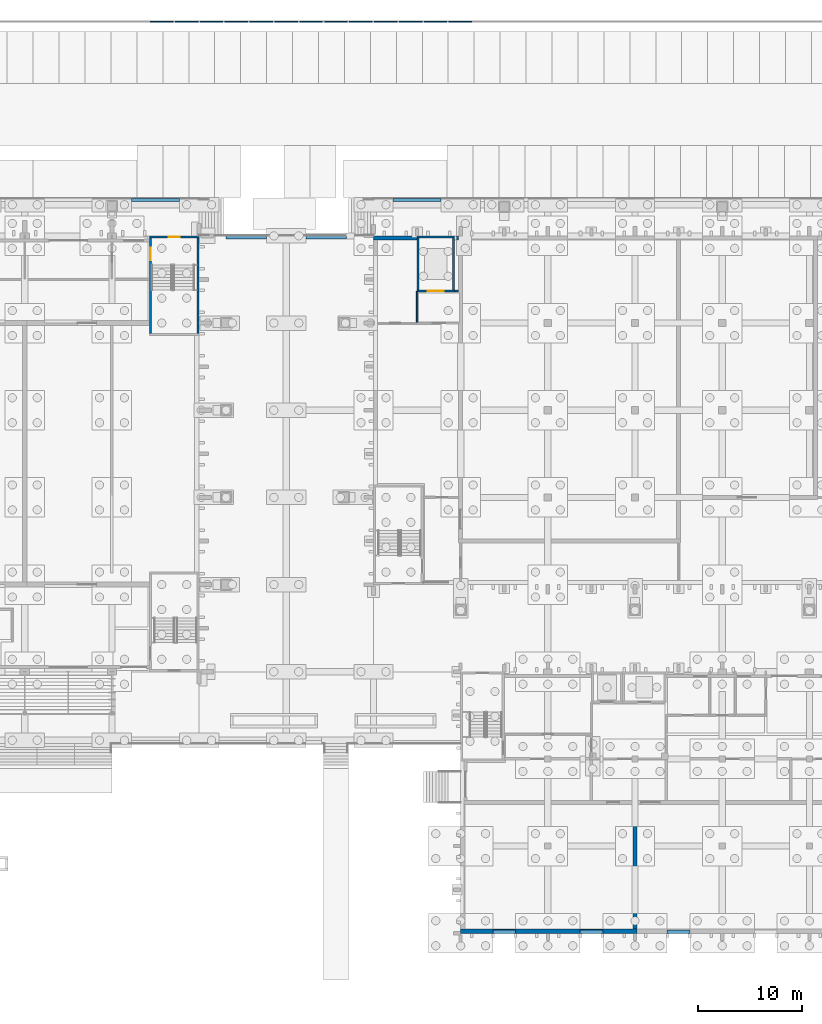
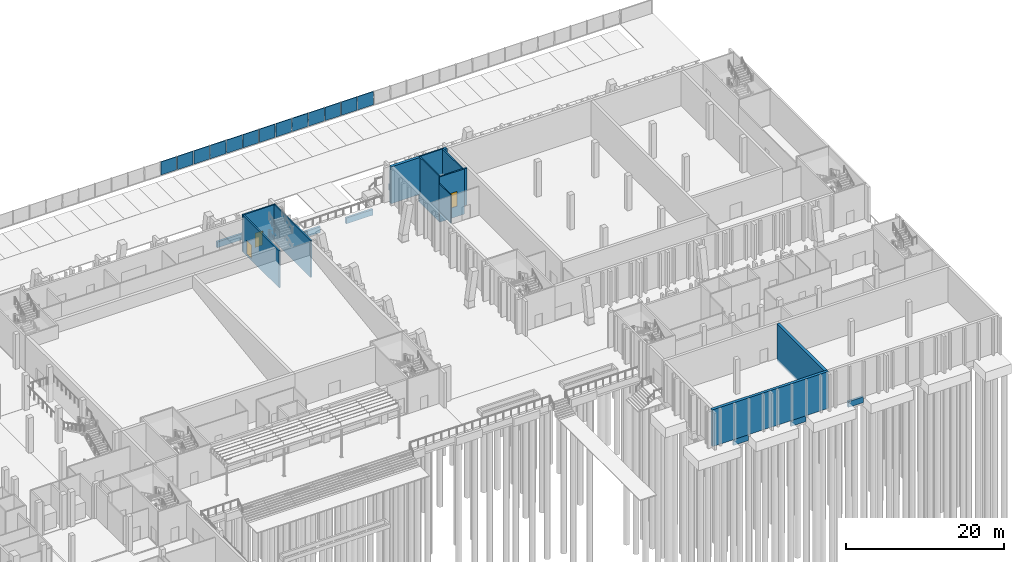
# One storey, part 54 of 129: 33 walls, 3 doors, 3 openings.
"""IFC4 building model written with IfcOpenShell, lengths in metres."""

from ifc_helpers import new_model, si_unit, direction, frame, frame_2d, origin, place, context, subcontext, project, spatial, rectangle, extrude, material, layer, layer_set, type_object, element, fill, save


model = new_model("IFC4")

# Units and contexts
model_context = context("Model", 3, precision=1e-05, world=origin(), true_north=direction((0.0, 1.0)))
body_context = subcontext(model_context, "Body", "Model", "MODEL_VIEW")
ifc_project = project(units=[si_unit("LENGTHUNIT", "METRE"), si_unit("AREAUNIT", "SQUARE_METRE"), si_unit("VOLUMEUNIT", "CUBIC_METRE"), si_unit("PLANEANGLEUNIT", "RADIAN"), si_unit("MASSUNIT", "GRAM", prefix="KILO")], contexts=[model_context])

# Site, building, storey
site_placement = place(None, origin())
site = spatial("IfcSite", under=ifc_project, at=site_placement, CompositionType="ELEMENT")
building_placement = place(site_placement, origin())
building = spatial("IfcBuilding", under=site, at=building_placement, Name="Kiln Court Media Centre", CompositionType="ELEMENT")
storey_placement = place(building_placement, origin())
storey = spatial("IfcBuildingStorey", under=building, at=storey_placement, Name="L00", CompositionType="ELEMENT", Elevation=0.0)

# Walls
ifc_material_1 = material(Name="Concrete block masonry M7.5", Category="masonry")
ifc_layer_1 = layer(ifc_material_1, 0.14990234375)
ifc_layer_set_1 = layer_set([ifc_layer_1], Name="Block lobby wall 150 EI 120")
wall_type_1 = type_object("IfcWallType", Name="Block lobby wall 150 EI 120", PredefinedType="SOLIDWALL", material=ifc_layer_set_1)
wall_1_placement = place(storey_placement, frame((121.800048828125, 58.875, 0.0), z_axis=(0.0, 0.0, 1.0), x_axis=(0.0, 1.0, 0.0)))
element("IfcWall", 1, at=wall_1_placement, inside=storey, type_object=wall_type_1, Name="L00 block lobby wall", PredefinedType="SOLIDWALL", context=body_context, shape_type="SweptSolid", body=[
    extrude(rectangle(XDim=3.0, YDim=0.14990234375, at=frame_2d((1.5, 0.0))), origin(), (0.0, 0.0, 1.0), 4.39990234375),
])
ifc_material_2 = material(Name="Concrete C30/37", Category="concrete")
ifc_layer_2 = layer(ifc_material_2, 0.300048828125)
ifc_layer_set_2 = layer_set([ifc_layer_2], Name="Concrete C30/37 plinth wall 300")
wall_type_2 = type_object("IfcWallType", Name="Concrete C30/37 plinth wall 300", PredefinedType="SOLIDWALL", material=ifc_layer_set_2)
for number, where, z_axis, x_axis, name in (
    (2, (131.300048828125, 0.14990234375, -1.199951171875), (0.0, 0.0, 1.0), (-1.0, 0.0, 0.0), "L00-W-1182"),
    (3, (139.699951171875, 0.14990234375, -1.199951171875), (0.0, 0.0, 1.0), (-1.0, 0.0, 0.0), "L00-W-1183"),
):
    element("IfcWall", number, at=place(storey_placement, frame(where, z_axis=z_axis, x_axis=x_axis)), inside=storey, type_object=wall_type_2, Name=name, PredefinedType="SOLIDWALL", context=body_context, shape_type="SweptSolid", body=[
        extrude(rectangle(XDim=2.199951171875, YDim=0.300048828125, at=frame_2d((1.10009765625, 0.0))), origin(), (0.0, 0.0, 1.0), 0.89990234375),
    ])
wall_2_placement = place(storey_placement, frame((148.10009765625, 0.14990234375, -1.199951171875), z_axis=(0.0, 0.0, 1.0), x_axis=(-1.0, 0.0, 0.0)))
element("IfcWall", 4, at=wall_2_placement, inside=storey, type_object=wall_type_2, Name="L00-W-1184", PredefinedType="SOLIDWALL", context=body_context, shape_type="SweptSolid", body=[
    extrude(rectangle(XDim=2.2001953125, YDim=0.300048828125, at=frame_2d((1.10009765625, 0.0))), origin(), (0.0, 0.0, 1.0), 0.89990234375),
])
wall_3_placement = place(storey_placement, frame((119.5, 70.64990234375, -1.199951171875), z_axis=(0.0, 0.0, 1.0), x_axis=(1.0, 0.0, 0.0)))
element("IfcWall", 5, at=wall_3_placement, inside=storey, type_object=wall_type_2, Name="L00-W-1193", PredefinedType="SOLIDWALL", context=body_context, shape_type="SweptSolid", body=[
    extrude(rectangle(XDim=4.60009765625, YDim=0.300048828125, at=frame_2d((2.300048828125, 0.0))), origin(), (0.0, 0.0, 1.0), 0.89990234375),
])
wall_4_placement = place(storey_placement, frame((103.39990234375, 67.050048828125, -1.199951171875), z_axis=(0.0, 0.0, 1.0), x_axis=(1.0, 0.0, 0.0)))
element("IfcWall", 6, at=wall_4_placement, inside=storey, type_object=wall_type_2, Name="L00-W-1199", PredefinedType="SOLIDWALL", context=body_context, shape_type="SweptSolid", body=[
    extrude(rectangle(XDim=3.900146484375, YDim=0.300048828125, at=frame_2d((1.9501953125, 0.0))), origin(), (0.0, 0.0, 1.0), 0.89990234375),
])
wall_5_placement = place(storey_placement, frame((111.10009765625, 67.050048828125, -1.199951171875), z_axis=(0.0, 0.0, 1.0), x_axis=(1.0, 0.0, 0.0)))
element("IfcWall", 7, at=wall_5_placement, inside=storey, type_object=wall_type_2, Name="L00-W-1200", PredefinedType="SOLIDWALL", context=body_context, shape_type="SweptSolid", body=[
    extrude(rectangle(XDim=3.89990234375, YDim=0.300048828125, at=frame_2d((1.949951171875, 0.0))), origin(), (0.0, 0.0, 1.0), 0.89990234375),
])
wall_6_placement = place(storey_placement, frame((94.300048828125, 70.64990234375, -1.199951171875), z_axis=(0.0, 0.0, 1.0), x_axis=(1.0, 0.0, 0.0)))
element("IfcWall", 8, at=wall_6_placement, inside=storey, type_object=wall_type_2, Name="L00-W-1209", PredefinedType="SOLIDWALL", context=body_context, shape_type="SweptSolid", body=[
    extrude(rectangle(XDim=4.599853515625, YDim=0.300048828125, at=frame_2d((2.2998046875, 0.0))), origin(), (0.0, 0.0, 1.0), 0.89990234375),
])
ifc_material_3 = material(Name="Concrete C40/50", Category="concrete")
ifc_layer_3 = layer(ifc_material_3, 0.39990234375)
ifc_layer_set_3 = layer_set([ifc_layer_3], Name="Concrete C40/50 auditorium wall 400")
wall_type_3 = type_object("IfcWallType", Name="Concrete C40/50 auditorium wall 400", PredefinedType="SHEAR", material=ifc_layer_set_3)
wall_7_placement = place(storey_placement, frame((117.60009765625, 67.0, -0.300048828125), z_axis=(0.0, 0.0, 1.0), x_axis=(1.0, 0.0, 0.0)))
element("IfcWall", 9, at=wall_7_placement, inside=storey, type_object=wall_type_3, Name="L00-W-1143", PredefinedType="SHEAR", context=body_context, shape_type="SweptSolid", body=[
    extrude(rectangle(XDim=4.199951171875, YDim=0.39990234375, at=frame_2d((2.10009765625, 0.0))), origin(), (0.0, 0.0, 1.0), 5.699951171875),
])
wall_8_placement = place(storey_placement, frame((125.60009765625, 66.800048828125, -0.300048828125), z_axis=(0.0, 0.0, 1.0), x_axis=(0.0, 1.0, 0.0)))
element("IfcWall", 10, at=wall_8_placement, inside=storey, type_object=wall_type_3, Name="L00-W-1144", PredefinedType="SHEAR", context=body_context, shape_type="SweptSolid", body=[
    extrude(rectangle(XDim=0.39990234375, YDim=0.39990234375, at=frame_2d((0.199951171875, 0.0))), origin(), (0.0, 0.0, 1.0), 5.699951171875),
])

# Wall, opening, door
ifc_material_4 = material(Name="Concrete C40/50", Category="concrete")
ifc_layer_4 = layer(ifc_material_4, 0.199951171875)
ifc_layer_set_4 = layer_set([ifc_layer_4], Name="Concrete C40/50 shear wall 200")
wall_type_4 = type_object("IfcWallType", Name="Concrete C40/50 shear wall 200", PredefinedType="SHEAR", material=ifc_layer_set_4)
wall_9_placement = place(storey_placement, frame((96.0, 67.10009765625, -0.300048828125), z_axis=(0.0, 0.0, 1.0), x_axis=(1.0, 0.0, 0.0)))
wall_9 = element("IfcWall", 11, at=wall_9_placement, inside=storey, type_object=wall_type_4, Name="L00-W-1045", PredefinedType="SHEAR", context=body_context, shape_type="SweptSolid", body=[
    extrude(rectangle(XDim=4.800048828125, YDim=0.199951171875, at=frame_2d((2.39990234375, 0.0))), origin(), (0.0, 0.0, 1.0), 5.699951171875),
])
opening_1_placement = place(wall_9_placement, frame((1.85009765625, 0.0, 0.0)))
opening_1 = element("IfcOpeningElement", 12, at=opening_1_placement, cuts=wall_9, Name="Opening D0764", PredefinedType="OPENING", context=body_context, shape_type="SweptSolid", body=[
    extrude(rectangle(XDim=1.10009765625, YDim=2.199951171875, at=frame_2d((0.550048828125, 1.10009765625))), frame((0.0, 0.10986328125, 0.0), z_axis=(0.0, -1.0, 0.0), x_axis=(1.0, 0.0, 0.0)), (0.0, 0.0, 1.0), 0.219970703125),
])
ifc_material_5 = material(Name="Steel ASTM A572 Gr 50", Category="steel")
door_type_1 = type_object("IfcDoorType", Name="Steel hall exit door 1100x2200", OperationType="SINGLE_SWING_LEFT", PredefinedType="DOOR", material=ifc_material_5)
door_1_placement = place(opening_1_placement, origin())
door_1 = element("IfcDoor", 13, at=door_1_placement, inside=storey, type_object=door_type_1, Name="ST-12 exit door", OperationType="SLIDING_TO_LEFT", OverallHeight=2.199951171875, OverallWidth=1.10009765625, PredefinedType="DOOR", context=body_context, shape_type="SweptSolid", body=[
    extrude(rectangle(XDim=1.10009765625, YDim=2.199951171875, at=frame_2d((0.550048828125, 1.10009765625))), frame((0.0, 0.02490234375, 0.0), z_axis=(0.0, -1.0, 0.0), x_axis=(1.0, 0.0, 0.0)), (0.0, 0.0, 1.0), 0.050048828125),
])
fill(opening_1, door_1)

wall_10_placement = place(storey_placement, frame((96.10009765625, 57.800048828125, -0.300048828125), z_axis=(0.0, 0.0, 1.0), x_axis=(0.0, 1.0, 0.0)))
wall_10 = element("IfcWall", 14, at=wall_10_placement, inside=storey, type_object=wall_type_4, Name="L00-W-1046", PredefinedType="SHEAR", context=body_context, shape_type="SweptSolid", body=[
    extrude(rectangle(XDim=9.199951171875, YDim=0.199951171875, at=frame_2d((4.60009765625, 0.0))), origin(), (0.0, 0.0, 1.0), 5.699951171875),
])
opening_2_placement = place(wall_10_placement, frame((7.050048828125, 0.0, 0.300048828125)))
opening_2 = element("IfcOpeningElement", 15, at=opening_2_placement, cuts=wall_10, Name="Opening D0006", PredefinedType="OPENING", context=body_context, shape_type="SweptSolid", body=[
    extrude(rectangle(XDim=1.199951171875, YDim=2.10009765625, at=frame_2d((0.60009765625, 1.050048828125))), frame((0.0, 0.10986328125, 0.0), z_axis=(0.0, -1.0, 0.0), x_axis=(1.0, 0.0, 0.0)), (0.0, 0.0, 1.0), 0.219970703125),
])
ifc_material_6 = material(Name="Steel S275", Category="steel")
door_type_2 = type_object("IfcDoorType", Name="Steel stair door 1200 x 2100 FD180", OperationType="SINGLE_SWING_LEFT", PredefinedType="DOOR", material=ifc_material_6)
door_2_placement = place(opening_2_placement, origin())
door_2 = element("IfcDoor", 16, at=door_2_placement, inside=storey, type_object=door_type_2, Name="Stair 12 / Staff Room", OperationType="SINGLE_SWING_RIGHT", OverallHeight=2.10009765625, OverallWidth=1.199951171875, PredefinedType="DOOR", context=body_context, shape_type="SweptSolid", body=[
    extrude(rectangle(XDim=1.199951171875, YDim=2.10009765625, at=frame_2d((0.60009765625, 1.050048828125))), frame((0.0, 0.02490234375, 0.0), z_axis=(0.0, -1.0, 0.0), x_axis=(1.0, 0.0, 0.0)), (0.0, 0.0, 1.0), 0.050048828125),
])
fill(opening_2, door_2)

# Wall
wall_11_placement = place(storey_placement, frame((100.699951171875, 67.0, -0.300048828125), z_axis=(0.0, 0.0, 1.0), x_axis=(0.0, -1.0, 0.0)))
element("IfcWall", 17, at=wall_11_placement, inside=storey, type_object=wall_type_4, Name="L00-W-1047", PredefinedType="SHEAR", context=body_context, shape_type="SweptSolid", body=[
    extrude(rectangle(XDim=9.199951171875, YDim=0.199951171875, at=frame_2d((4.60009765625, 0.0))), origin(), (0.0, 0.0, 1.0), 5.699951171875),
])

# Wall, opening, door
wall_12_placement = place(storey_placement, frame((125.39990234375, 61.89990234375, -1.60009765625), z_axis=(0.0, 0.0, 1.0), x_axis=(-1.0, 0.0, 0.0)))
wall_12 = element("IfcWall", 18, at=wall_12_placement, inside=storey, type_object=wall_type_4, Name="L00-W-1094", PredefinedType="SHEAR", context=body_context, shape_type="SweptSolid", body=[
    extrude(rectangle(XDim=3.599853515625, YDim=0.199951171875, at=frame_2d((1.7998046875, 0.0))), origin(), (0.0, 0.0, 1.0), 7.0),
])
opening_3_placement = place(wall_12_placement, frame((1.0498046875, 0.0, 1.60009765625)))
opening_3 = element("IfcOpeningElement", 19, at=opening_3_placement, cuts=wall_12, Name="Opening LD010", PredefinedType="OPENING", context=body_context, shape_type="SweptSolid", body=[
    extrude(rectangle(XDim=1.5, YDim=2.300048828125, at=frame_2d((0.75, 1.14990234375))), frame((0.0, 0.10986328125, 0.0), z_axis=(0.0, -1.0, 0.0), x_axis=(1.0, 0.0, 0.0)), (0.0, 0.0, 1.0), 0.219970703125),
])
ifc_material_7 = material(Name="Stainless steel", Category="steel")
door_type_3 = type_object("IfcDoorType", Name="Goods lift landing door 1500 x 2300 FD120", OperationType="SLIDING_TO_LEFT", PredefinedType="DOOR", material=ifc_material_7)
door_3_placement = place(opening_3_placement, origin())
door_3 = element("IfcDoor", 20, at=door_3_placement, inside=storey, type_object=door_type_3, Name="LF-10 landing door L00", OperationType="SLIDING_TO_LEFT", OverallHeight=2.300048828125, OverallWidth=1.5, PredefinedType="DOOR", context=body_context, shape_type="SweptSolid", body=[
    extrude(rectangle(XDim=1.5, YDim=2.300048828125, at=frame_2d((0.75, 1.14990234375))), frame((0.0, 0.02490234375, 0.0), z_axis=(0.0, -1.0, 0.0), x_axis=(1.0, 0.0, 0.0)), (0.0, 0.0, 1.0), 0.050048828125),
])
fill(opening_3, door_3)

# Walls
wall_13_placement = place(storey_placement, frame((121.800048828125, 67.10009765625, -1.60009765625), z_axis=(0.0, 0.0, 1.0), x_axis=(1.0, 0.0, 0.0)))
element("IfcWall", 21, at=wall_13_placement, inside=storey, type_object=wall_type_4, Name="L00-W-1095", PredefinedType="SHEAR", context=body_context, shape_type="SweptSolid", body=[
    extrude(rectangle(XDim=3.599853515625, YDim=0.199951171875, at=frame_2d((1.7998046875, 0.0))), origin(), (0.0, 0.0, 1.0), 7.0),
])
for number, where, z_axis, x_axis, name in (
    (22, (121.89990234375, 62.0, -1.60009765625), (0.0, 0.0, 1.0), (0.0, 1.0, 0.0), "L00-W-1096"),
    (23, (125.300048828125, 67.0, -1.60009765625), (0.0, 0.0, 1.0), (0.0, -1.0, 0.0), "L00-W-1097"),
):
    element("IfcWall", number, at=place(storey_placement, frame(where, z_axis=z_axis, x_axis=x_axis)), inside=storey, type_object=wall_type_4, Name=name, PredefinedType="SHEAR", context=body_context, shape_type="SweptSolid", body=[
        extrude(rectangle(XDim=5.0, YDim=0.199951171875, at=frame_2d((2.5, 0.0))), origin(), (0.0, 0.0, 1.0), 7.0),
    ])
wall_14_placement = place(storey_placement, frame((125.800048828125, 61.89990234375, -0.300048828125), z_axis=(0.0, 0.0, 1.0), x_axis=(-1.0, 0.0, 0.0)))
element("IfcWall", 24, at=wall_14_placement, inside=storey, type_object=wall_type_4, Name="L00-W-1162", PredefinedType="SHEAR", context=body_context, shape_type="SweptSolid", body=[
    extrude(rectangle(XDim=0.400146484375, YDim=0.199951171875, at=frame_2d((0.2001953125, 0.0))), origin(), (0.0, 0.0, 1.0), 5.699951171875),
])
ifc_material_8 = material(Name="Concrete C40/50", Category="concrete")
ifc_layer_5 = layer(ifc_material_8, 0.39990234375)
ifc_layer_set_5 = layer_set([ifc_layer_5], Name="Concrete C40/50 studio wall 400")
wall_type_5 = type_object("IfcWallType", Name="Concrete C40/50 studio wall 400", PredefinedType="SHEAR", material=ifc_layer_set_5)
wall_15_placement = place(storey_placement, frame((143.0, 0.199951171875, -0.300048828125), z_axis=(0.0, 0.0, 1.0), x_axis=(-1.0, 0.0, 0.0)))
element("IfcWall", 25, at=wall_15_placement, inside=storey, type_object=wall_type_5, Name="L00-W-1132", PredefinedType="SHEAR", context=body_context, shape_type="SweptSolid", body=[
    extrude(rectangle(XDim=17.0, YDim=0.39990234375, at=frame_2d((8.5, 0.0))), origin(), (0.0, 0.0, 1.0), 5.699951171875),
])
wall_16_placement = place(storey_placement, frame((142.800048828125, 12.39990234375, -0.300048828125), z_axis=(0.0, 0.0, 1.0), x_axis=(0.0, -1.0, 0.0)))
element("IfcWall", 26, at=wall_16_placement, inside=storey, type_object=wall_type_5, Name="L00-W-1135", PredefinedType="SHEAR", context=body_context, shape_type="SweptSolid", body=[
    extrude(rectangle(XDim=12.0, YDim=0.39990234375, at=frame_2d((6.0, 0.0))), origin(), (0.0, 0.0, 1.0), 5.699951171875),
])
ifc_material_9 = material(Name="Steel ASTM A572 Gr 50", Category="steel")
ifc_layer_6 = layer(ifc_material_9, 0.10009765625)
ifc_layer_set_6 = layer_set([ifc_layer_6], Name="Steel ASTM A572 Gr 50 palisade fence panel 100")
wall_type_6 = type_object("IfcWallType", Name="Steel ASTM A572 Gr 50 palisade fence panel 100", PredefinedType="SOLIDWALL", material=ifc_layer_set_6)
wall_17_placement = place(storey_placement, frame((96.04248046875, 87.85009765625, -1.050048828125), z_axis=(0.0, 0.0, 1.0), x_axis=(1.0, 0.0, 0.0)))
element("IfcWall", 27, at=wall_17_placement, inside=storey, type_object=wall_type_6, Name="Boundary palisade fence panel 39", PredefinedType="SOLIDWALL", context=body_context, shape_type="SweptSolid", body=[
    extrude(rectangle(XDim=2.29833984375, YDim=0.10009765625, at=frame_2d((1.149169921875, 0.0))), origin(), (0.0, 0.0, 1.0), 2.050048828125),
])
for number, where, z_axis, x_axis, name in (
    (28, (98.44091796875, 87.85009765625, -1.050048828125), (0.0, 0.0, 1.0), (1.0, 0.0, 0.0), "Boundary palisade fence panel 40"),
    (29, (100.83935546875, 87.85009765625, -1.050048828125), (0.0, 0.0, 1.0), (1.0, 0.0, 0.0), "Boundary palisade fence panel 41"),
    (30, (103.23779296875, 87.85009765625, -1.050048828125), (0.0, 0.0, 1.0), (1.0, 0.0, 0.0), "Boundary palisade fence panel 42"),
):
    element("IfcWall", number, at=place(storey_placement, frame(where, z_axis=z_axis, x_axis=x_axis)), inside=storey, type_object=wall_type_6, Name=name, PredefinedType="SOLIDWALL", context=body_context, shape_type="SweptSolid", body=[
        extrude(rectangle(XDim=2.298583984375, YDim=0.10009765625, at=frame_2d((1.1494140625, 0.0))), origin(), (0.0, 0.0, 1.0), 2.050048828125),
    ])
wall_18_placement = place(storey_placement, frame((105.636474609375, 87.85009765625, -1.050048828125), z_axis=(0.0, 0.0, 1.0), x_axis=(1.0, 0.0, 0.0)))
element("IfcWall", 31, at=wall_18_placement, inside=storey, type_object=wall_type_6, Name="Boundary palisade fence panel 43", PredefinedType="SOLIDWALL", context=body_context, shape_type="SweptSolid", body=[
    extrude(rectangle(XDim=2.29833984375, YDim=0.10009765625, at=frame_2d((1.149169921875, 0.0))), origin(), (0.0, 0.0, 1.0), 2.050048828125),
])
for number, where, z_axis, x_axis, name in (
    (32, (108.034912109375, 87.85009765625, -1.050048828125), (0.0, 0.0, 1.0), (1.0, 0.0, 0.0), "Boundary palisade fence panel 44"),
    (33, (110.433349609375, 87.85009765625, -1.050048828125), (0.0, 0.0, 1.0), (1.0, 0.0, 0.0), "Boundary palisade fence panel 45"),
    (34, (112.831787109375, 87.85009765625, -1.050048828125), (0.0, 0.0, 1.0), (1.0, 0.0, 0.0), "Boundary palisade fence panel 46"),
):
    element("IfcWall", number, at=place(storey_placement, frame(where, z_axis=z_axis, x_axis=x_axis)), inside=storey, type_object=wall_type_6, Name=name, PredefinedType="SOLIDWALL", context=body_context, shape_type="SweptSolid", body=[
        extrude(rectangle(XDim=2.298583984375, YDim=0.10009765625, at=frame_2d((1.1494140625, 0.0))), origin(), (0.0, 0.0, 1.0), 2.050048828125),
    ])
wall_19_placement = place(storey_placement, frame((115.23046875, 87.85009765625, -1.050048828125), z_axis=(0.0, 0.0, 1.0), x_axis=(1.0, 0.0, 0.0)))
element("IfcWall", 35, at=wall_19_placement, inside=storey, type_object=wall_type_6, Name="Boundary palisade fence panel 47", PredefinedType="SOLIDWALL", context=body_context, shape_type="SweptSolid", body=[
    extrude(rectangle(XDim=2.29833984375, YDim=0.10009765625, at=frame_2d((1.149169921875, 0.0))), origin(), (0.0, 0.0, 1.0), 2.050048828125),
])
for number, where, z_axis, x_axis, name in (
    (36, (117.62890625, 87.85009765625, -1.050048828125), (0.0, 0.0, 1.0), (1.0, 0.0, 0.0), "Boundary palisade fence panel 48"),
    (37, (120.02734375, 87.85009765625, -1.050048828125), (0.0, 0.0, 1.0), (1.0, 0.0, 0.0), "Boundary palisade fence panel 49"),
    (38, (122.42578125, 87.85009765625, -1.050048828125), (0.0, 0.0, 1.0), (1.0, 0.0, 0.0), "Boundary palisade fence panel 50"),
    (39, (124.82421875, 87.85009765625, -1.050048828125), (0.0, 0.0, 1.0), (1.0, 0.0, 0.0), "Boundary palisade fence panel 51"),
):
    element("IfcWall", number, at=place(storey_placement, frame(where, z_axis=z_axis, x_axis=x_axis)), inside=storey, type_object=wall_type_6, Name=name, PredefinedType="SOLIDWALL", context=body_context, shape_type="SweptSolid", body=[
        extrude(rectangle(XDim=2.298583984375, YDim=0.10009765625, at=frame_2d((1.1494140625, 0.0))), origin(), (0.0, 0.0, 1.0), 2.050048828125),
    ])

save(model, "model.ifc")
